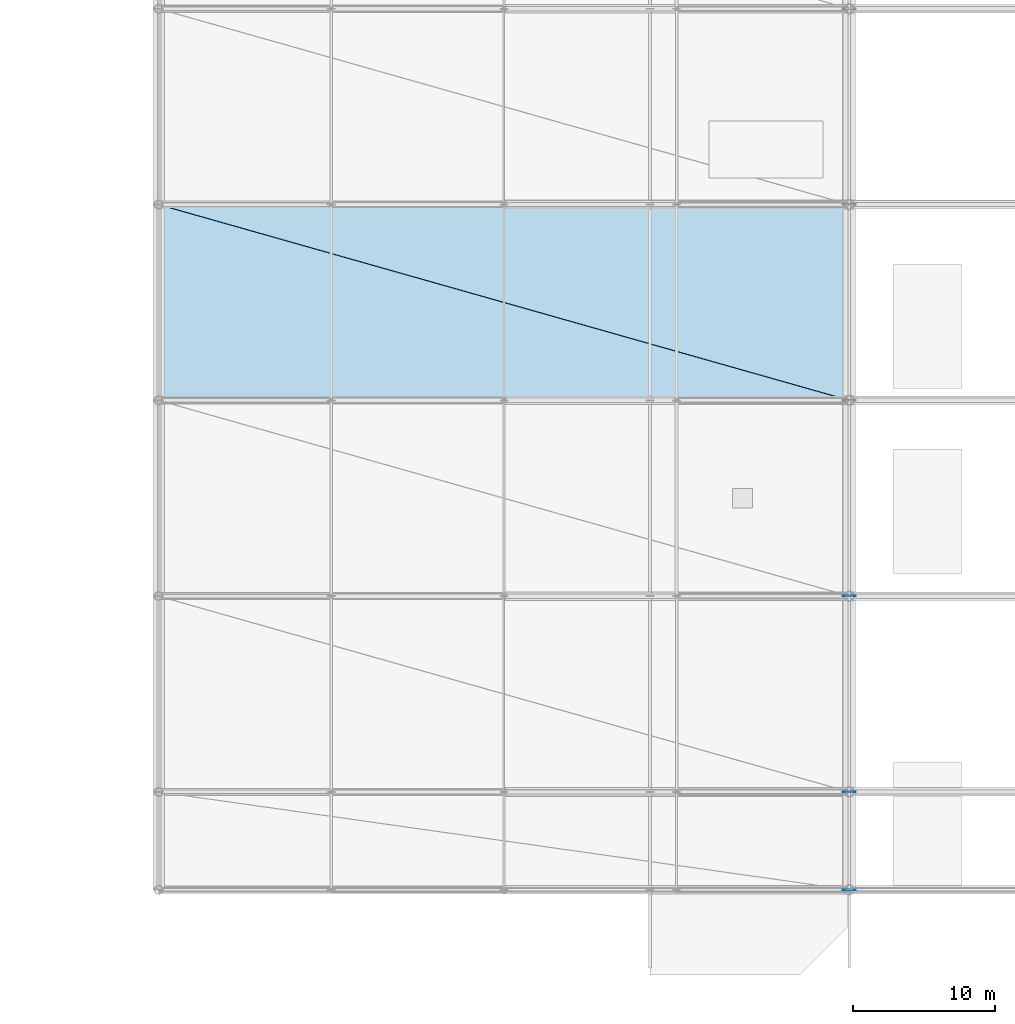
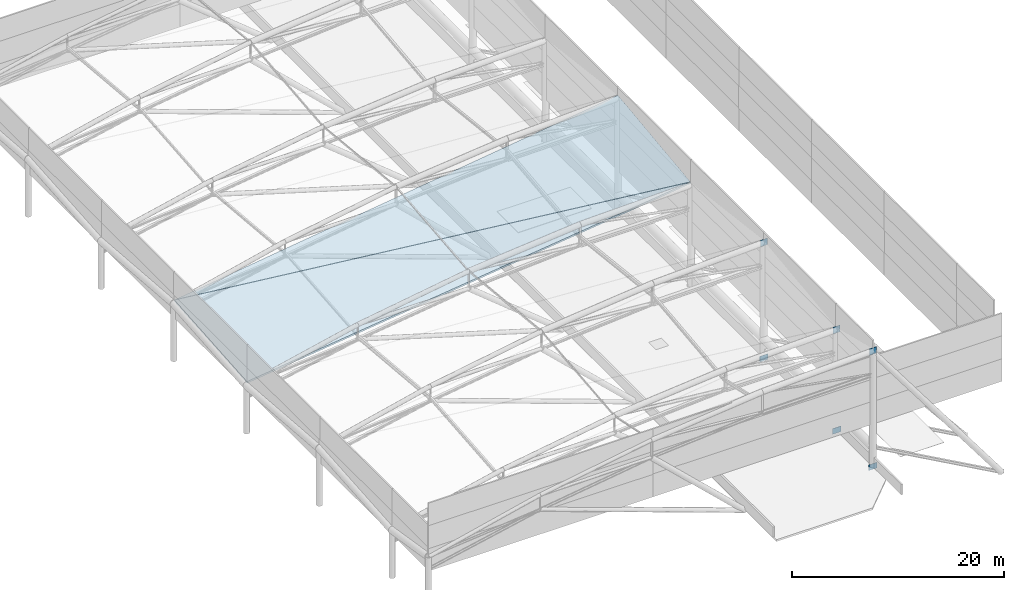
# One storey, part 69 of 113: 6 plates, 2 slabs.
"""IFC4 building model written with IfcOpenShell, lengths in metres."""

from ifc_helpers import new_model, si_unit, direction, frame, origin, origin_2d, place, context, subcontext, project, spatial, polyline, rectangle, outline, extrude, material, layer, layer_set, type_object, element, save


model = new_model("IFC4")

# Units and contexts
model_context = context("Model", 3, precision=1e-05, world=origin(), true_north=direction((0.0, 1.0)))
body_context = subcontext(model_context, "Body", "Model", "MODEL_VIEW")
ifc_project = project(units=[si_unit("LENGTHUNIT", "METRE"), si_unit("AREAUNIT", "SQUARE_METRE"), si_unit("VOLUMEUNIT", "CUBIC_METRE"), si_unit("PLANEANGLEUNIT", "RADIAN"), si_unit("MASSUNIT", "GRAM", prefix="KILO")], contexts=[model_context])

# Site, building, storey
site_placement = place(None, origin())
site = spatial("IfcSite", under=ifc_project, at=site_placement, CompositionType="ELEMENT")
building_placement = place(site_placement, origin())
building = spatial("IfcBuilding", under=site, at=building_placement, Name="Linyun Crest Stadium", CompositionType="ELEMENT")
storey_placement = place(building_placement, frame((0.0, 0.0, 26.39990234375)))
storey = spatial("IfcBuildingStorey", under=building, at=storey_placement, Name="L06", CompositionType="ELEMENT", Elevation=26.39990234375)

# Plates
ifc_material_1 = material(Name="Steel Q420C", Category="steel")
ifc_layer_1 = layer(ifc_material_1, 0.02392578125)
ifc_layer_set_1 = layer_set([ifc_layer_1], Name="Steel Q420C")
plate_type_1 = type_object("IfcPlateType", Name="EP02", PredefinedType="USERDEFINED", material=ifc_layer_set_1)
for number, where, z_axis, x_axis, name in (
    (1, (84.0, -46.0, 12.8701171875), (0.0, 0.0, 1.0), (1.0, 0.0, 0.0), "Roof mast cap end plate EP02 105"),
    (2, (84.0, -39.125, 11.169921875), (0.0, 0.0, 1.0), (1.0, 0.0, 0.0), "Roof mast cap end plate EP02 118"),
    (3, (84.0, -25.375, 12.8701171875), (0.0, 0.0, 1.0), (1.0, 0.0, 0.0), "Roof mast cap end plate EP02 131"),
):
    element("IfcPlate", number, at=place(storey_placement, frame(where, z_axis=z_axis, x_axis=x_axis)), inside=storey, type_object=plate_type_1, Name=name, ObjectType="END PLATE", PredefinedType="USERDEFINED", context=body_context, shape_type="SweptSolid", body=[
        extrude(rectangle(XDim=0.760009765625, YDim=0.02392578125, at=origin_2d()), origin(), (0.0, 0.0, 1.0), 0.760009765625),
    ])
ifc_material_2 = material(Name="Steel Q420C", Category="steel")
ifc_layer_2 = layer(ifc_material_2, 0.031982421875)
ifc_layer_set_2 = layer_set([ifc_layer_2], Name="Steel Q420C")
plate_type_2 = type_object("IfcPlateType", Name="NP03", PredefinedType="USERDEFINED", material=ifc_layer_set_2)
for number, where, z_axis, x_axis, name in (
    (4, (84.0, -46.0, -0.389892578125), (0.0, 0.0, 1.0), (1.0, 0.0, 0.0), "Roof mast base gusset plate NP03 106"),
    (5, (84.0, -39.125, -0.389892578125), (0.0, 0.0, 1.0), (1.0, 0.0, 0.0), "Roof mast base gusset plate NP03 119"),
    (6, (84.0, -25.375, -0.389892578125), (0.0, 0.0, 1.0), (1.0, 0.0, 0.0), "Roof mast base gusset plate NP03 132"),
):
    element("IfcPlate", number, at=place(storey_placement, frame(where, z_axis=z_axis, x_axis=x_axis)), inside=storey, type_object=plate_type_2, Name=name, ObjectType="GUSSET PLATE", PredefinedType="USERDEFINED", context=body_context, shape_type="SweptSolid", body=[
        extrude(rectangle(XDim=0.89990234375, YDim=0.031982421875, at=origin_2d()), origin(), (0.0, 0.0, 1.0), 0.64990234375),
    ])

# Slabs
ifc_material_3 = material(Name="Concrete C40", Category="concrete")
ifc_layer_3 = layer(ifc_material_3, 0.205078125)
ifc_layer_set_3 = layer_set([ifc_layer_3], Name="Concrete C40")
slab_type_1 = type_object("IfcSlabType", Name="RS01", PredefinedType="ROOF", material=ifc_layer_set_3)
slab_1_placement = place(storey_placement, frame((83.95703125, -11.60009765625, 11.906982421875), z_axis=(-0.13577002672, -0.121589352281, 0.98325100013), x_axis=(-0.000371100634, 0.992446795163, 0.12267526668)))
element("IfcSlab", 7, at=slab_1_placement, inside=storey, type_object=slab_type_1, Name="Wave canopy roof deck RS01 V2 21", PredefinedType="ROOF", context=body_context, shape_type="SweptSolid", body=[
    extrude(outline(polyline([(0.0, 0.0), (13.815533192762485, -8.326672684688674e-17), (13.020487610673305, 48.854528291089636), (0.0, 0.0)])), origin(), (0.0, 0.0, -1.0), 0.205078125),
])
ifc_material_4 = material(Name="Concrete C40", Category="concrete")
ifc_layer_4 = layer(ifc_material_4, 0.215087890625)
ifc_layer_set_4 = layer_set([ifc_layer_4], Name="Concrete C40")
slab_type_2 = type_object("IfcSlabType", Name="RS02", PredefinedType="ROOF", material=ifc_layer_set_4)
slab_2_placement = place(storey_placement, frame((83.949951171875, -11.617919921875, 11.904296875), z_axis=(-0.124435508682, -0.079488724522, 0.989038597251), x_axis=(-0.957419498037, 0.271322376372, -0.098651268919)))
element("IfcSlab", 8, at=slab_2_placement, inside=storey, type_object=slab_type_2, Name="Wave canopy roof deck RS02 V2 22", PredefinedType="ROOF", context=body_context, shape_type="SweptSolid", body=[
    extrude(outline(polyline([(0.0, 0.0), (50.559846045696915, -2.220446049250313e-16), (46.94343346884189, 13.27143513228775), (0.0, 0.0)])), origin(), (0.0, 0.0, -1.0), 0.215087890625),
])

save(model, "model.ifc")
